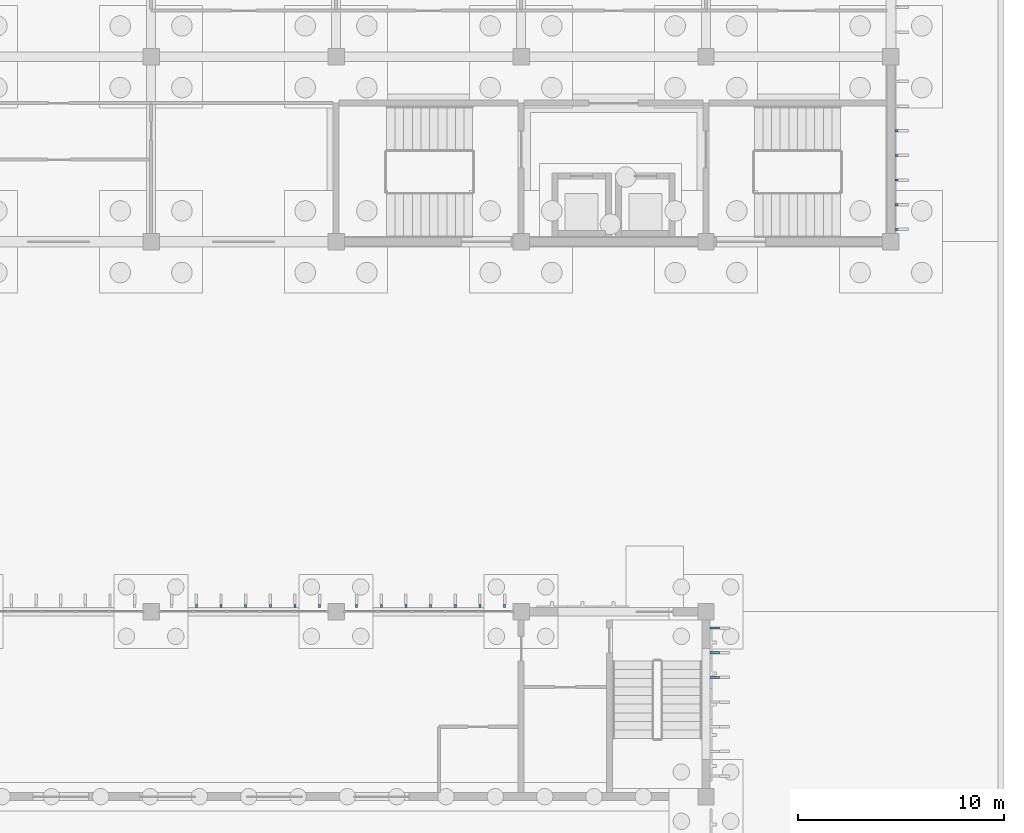
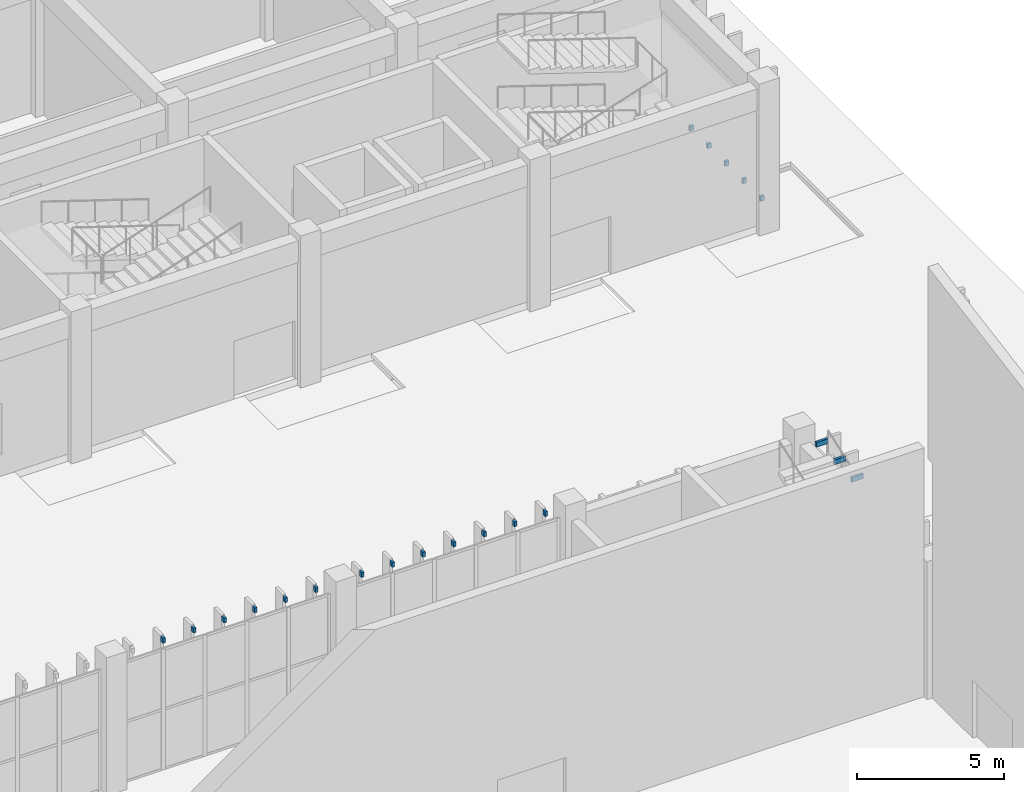
# One storey, part 130 of 198: 21 discrete accessories.
"""IFC4 building model written with IfcOpenShell, lengths in metres."""

import ifcopenshell
import ifcopenshell.guid

model = None  # the IFC model being written
_history = None  # IfcOwnerHistory: only IFC2X3 demands one
_inside = {}  # id of a spatial element -> (the spatial element, [elements in it])
_under = {}  # id of a project, library or spatial element -> (it, [spatial elements below it])
_declared = {}  # id of a project -> (the project, [libraries it declares])
_typed = {}  # id of a type object -> (the type object, [elements of that type])
_made_of = {}  # id of a material, layer set ... -> (it, [elements and type objects made of it])


def new_model(schema):
    """Start an empty IFC model of exactly this schema.

    Asked for "IFC4X3", IfcOpenShell would pick the latest addendum, in which some entities
    have other attributes; the version numbers below select the first issue.
    IFC2X3 requires an IfcOwnerHistory on every rooted entity: one is made here for all.
    """
    global model, _history
    if schema == "IFC4X3":
        model = ifcopenshell.file(schema_version=(4, 3, 0, 0))
    else:
        model = ifcopenshell.file(schema=schema)
    _inside.clear()
    _under.clear()
    _declared.clear()
    _typed.clear()
    _made_of.clear()
    _history = None
    if model.schema == "IFC2X3":
        org = make("IfcOrganization", Name="unknown")
        user = make(
            "IfcPersonAndOrganization",
            ThePerson=make("IfcPerson", FamilyName="unknown"),
            TheOrganization=org,
        )
        app = make(
            "IfcApplication",
            ApplicationDeveloper=org,
            Version="unknown",
            ApplicationFullName="unknown",
            ApplicationIdentifier="unknown",
        )
        _history = make(
            "IfcOwnerHistory",
            OwningUser=user,
            OwningApplication=app,
            ChangeAction="ADDED",
            CreationDate=0,
        )
    return model


def make(cls, **values):
    """One entity of the class cls with the attributes given. An attribute that is None is left unset."""
    return model.create_entity(
        cls, **{name: value for name, value in values.items() if value is not None}
    )


def rooted(cls, **values):
    """An entity with a GlobalId (a new one), such as an element, a storey or a relation."""
    return make(cls, GlobalId=ifcopenshell.guid.new(), OwnerHistory=_history, **values)


def si_unit(unit_type, name, prefix=None):
    """IfcSIUnit, for example si_unit("LENGTHUNIT", "METRE", prefix="MILLI")."""
    return make("IfcSIUnit", UnitType=unit_type, Prefix=prefix, Name=name)


def assignment(units):
    """IfcUnitAssignment: the units of a project."""
    return None if units is None else make("IfcUnitAssignment", Units=units)


def point(xyz):
    """IfcCartesianPoint."""
    return None if xyz is None else make("IfcCartesianPoint", Coordinates=xyz)


def direction(xyz):
    """IfcDirection."""
    return None if xyz is None else make("IfcDirection", DirectionRatios=xyz)


def frame(location, z_axis=None, x_axis=None):
    """IfcAxis2Placement3D, a coordinate frame: its origin and axes. An axis left out is left unset."""
    return make(
        "IfcAxis2Placement3D",
        Location=point(location),
        Axis=direction(z_axis),
        RefDirection=direction(x_axis),
    )


def frame_2d(location, x_axis=None):
    """IfcAxis2Placement2D, a coordinate frame in the plane: its origin and x axis."""
    return make(
        "IfcAxis2Placement2D", Location=point(location), RefDirection=direction(x_axis)
    )


def origin():
    """The frame at (0, 0, 0) with its axes left unset."""
    return frame((0.0, 0.0, 0.0))


def origin_2d():
    """The frame at (0, 0) in the plane with its x axis left unset."""
    return frame_2d((0.0, 0.0))


def place(relative_to, where):
    """IfcLocalPlacement: puts the frame where relative to a parent placement (None: the world)."""
    return make(
        "IfcLocalPlacement", PlacementRelTo=relative_to, RelativePlacement=where
    )


def context(
    kind, dimensions, precision=None, world=None, true_north=None, identifier=None
):
    """IfcGeometricRepresentationContext, for example the 3D "Model" context."""
    return make(
        "IfcGeometricRepresentationContext",
        ContextIdentifier=identifier,
        ContextType=kind,
        CoordinateSpaceDimension=dimensions,
        Precision=precision,
        WorldCoordinateSystem=world,
        TrueNorth=true_north,
    )


def subcontext(parent, identifier, kind, view, scale=None):
    """IfcGeometricRepresentationSubContext, for example "Body" below "Model"."""
    return make(
        "IfcGeometricRepresentationSubContext",
        ContextIdentifier=identifier,
        ContextType=kind,
        ParentContext=parent,
        TargetScale=scale,
        TargetView=view,
    )


def project(units=None, contexts=None):
    """IfcProject with its units and contexts."""
    return rooted(
        "IfcProject",
        Name="project",
        RepresentationContexts=contexts,
        UnitsInContext=assignment(units),
    )


def spatial(cls, under=None, at=None, **own):
    """A site, building, storey or space (cls), placed at a placement, below another one or the project."""
    s = rooted(cls, ObjectPlacement=at, **own)
    if under is not None:
        _under.setdefault(under.id(), (under, []))[1].append(s)
    return s


def profile(cls, at=None, kind="AREA", **sizes):
    """A parametric profile (cls). Its sizes go by their IFC names, for example OverallWidth=200.0."""
    return make(cls, ProfileType=kind, Position=at, **sizes)


def rectangle(**sizes):
    """IfcRectangleProfileDef."""
    return profile("IfcRectangleProfileDef", **sizes)


def extrude(swept, where, along, depth):
    """IfcExtrudedAreaSolid: the profile swept, set in the frame where, extruded along a direction by depth."""
    return make(
        "IfcExtrudedAreaSolid",
        SweptArea=swept,
        Position=where,
        ExtrudedDirection=direction(along),
        Depth=depth,
    )


def shape(context_of_items, identifier, shape_type, items):
    """IfcShapeRepresentation: the items that make up one representation, for example the "Body"."""
    return make(
        "IfcShapeRepresentation",
        ContextOfItems=context_of_items,
        RepresentationIdentifier=identifier,
        RepresentationType=shape_type,
        Items=items,
    )


def material(Name=None, Category=None):
    """IfcMaterial."""
    return make("IfcMaterial", Name=Name, Category=Category)


def made_of(thing, what):
    """Note that an element or type object is made of a material, layer set ...; save() writes the relation."""
    if what is not None:
        _made_of.setdefault(what.id(), (what, []))[1].append(thing)
    return thing


def type_object(cls, material=None, **own):
    """A type object (cls), such as IfcWallType, which elements share."""
    return made_of(rooted(cls, **own), material)


def element(
    cls,
    number,
    at=None,
    inside=None,
    cuts=None,
    type_object=None,
    material=None,
    context=None,
    identifier="Body",
    shape_type=None,
    held_by="IfcProductDefinitionShape",
    body=None,
    shapes=None,
    **own,
):
    """One element of the class cls, such as IfcWall. Its Tag is "e" and its number.

    at: its placement. inside: the storey or other place that contains it. cuts: it is an
    opening in that element (IfcRelVoidsElement). A single representation is given by context,
    identifier, shape_type and body (its items); several are given by shapes. held_by: the class
    of the entity that holds the representations. save() writes the other relations.
    """
    e = rooted(cls, Tag="e%d" % number, ObjectPlacement=at, **own)
    if body is not None:
        shapes = [shape(context, identifier, shape_type, body)]
    if shapes is not None:
        e.Representation = make(held_by, Representations=shapes)
    if inside is not None:
        _inside.setdefault(inside.id(), (inside, []))[1].append(e)
    if cuts is not None:
        rooted(
            "IfcRelVoidsElement", RelatingBuildingElement=cuts, RelatedOpeningElement=e
        )
    if type_object is not None:
        _typed.setdefault(type_object.id(), (type_object, []))[1].append(e)
    return made_of(e, material)


def aggregate(whole, parts):
    """IfcRelAggregates: a whole, such as a stair, and the parts it consists of."""
    return rooted("IfcRelAggregates", RelatingObject=whole, RelatedObjects=parts)


def save(model, path):
    """Write the relations noted so far, then the file.

    IfcRelAggregates (storeys below a building ...), IfcRelContainedInSpatialStructure (elements
    in a storey), IfcRelDefinesByType, IfcRelAssociatesMaterial and IfcRelDeclares: one each for
    every whole, place, type object, material and project.
    """
    for whole, parts in _under.values():
        aggregate(whole, parts)
    for where, things in _inside.values():
        rooted(
            "IfcRelContainedInSpatialStructure",
            RelatedElements=things,
            RelatingStructure=where,
        )
    for kind, things in _typed.values():
        rooted("IfcRelDefinesByType", RelatedObjects=things, RelatingType=kind)
    for what, things in _made_of.values():
        rooted("IfcRelAssociatesMaterial", RelatedObjects=things, RelatingMaterial=what)
    for by, libraries in _declared.values():
        rooted("IfcRelDeclares", RelatingContext=by, RelatedDefinitions=libraries)
    model.write(path)


model = new_model("IFC4")

# Units and contexts
model_context = context("Model", 3, precision=1e-05, world=origin(), true_north=direction((0.0, 1.0)))
body_context = subcontext(model_context, "Body", "Model", "MODEL_VIEW")
ifc_project = project(units=[si_unit("LENGTHUNIT", "METRE"), si_unit("AREAUNIT", "SQUARE_METRE"), si_unit("VOLUMEUNIT", "CUBIC_METRE"), si_unit("PLANEANGLEUNIT", "RADIAN"), si_unit("MASSUNIT", "GRAM", prefix="KILO")], contexts=[model_context])

# Site, building, storey
site_placement = place(None, origin())
site = spatial("IfcSite", under=ifc_project, at=site_placement, CompositionType="ELEMENT")
building_placement = place(site_placement, origin())
building = spatial("IfcBuilding", under=site, at=building_placement, Name="Opaline Strait Convention Centre", CompositionType="ELEMENT")
storey_placement = place(building_placement, origin())
storey = spatial("IfcBuildingStorey", under=building, at=storey_placement, Name="L00", CompositionType="ELEMENT", Elevation=0.0)

# Discrete accessories
ifc_material = material(Name="Stainless steel 304", Category="steel")
discrete_accessory_type_1 = type_object("IfcDiscreteAccessoryType", Name="Fin bracket 150 stainless steel", PredefinedType="BRACKET", material=ifc_material)
for number, where, z_axis, x_axis, name in (
    (1, (360.27490234375, 90.60009765625, 0.35009765625), (0.0, 0.0, 1.0), (1.0, 0.0, 0.0), "Fin bracket"),
    (2, (360.27490234375, 91.800048828125, 0.35009765625), (0.0, 0.0, 1.0), (1.0, 0.0, 0.0), "Fin bracket"),
    (3, (360.27490234375, 93.0, 0.35009765625), (0.0, 0.0, 1.0), (1.0, 0.0, 0.0), "Fin bracket"),
    (4, (360.27490234375, 94.199951171875, 0.35009765625), (0.0, 0.0, 1.0), (1.0, 0.0, 0.0), "Fin bracket"),
    (5, (360.27490234375, 95.39990234375, 0.35009765625), (0.0, 0.0, 1.0), (1.0, 0.0, 0.0), "Fin bracket"),
):
    element("IfcDiscreteAccessory", number, at=place(storey_placement, frame(where, z_axis=z_axis, x_axis=x_axis)), inside=storey, type_object=discrete_accessory_type_1, Name=name, PredefinedType="BRACKET", context=body_context, shape_type="SweptSolid", body=[
        extrude(rectangle(XDim=0.14990234375, YDim=0.10009765625, at=origin_2d()), origin(), (0.0, 0.0, 1.0), 0.199951171875),
    ])
discrete_accessory_type_2 = type_object("IfcDiscreteAccessoryType", Name="Storm fin bracket 100", PredefinedType="BRACKET", material=ifc_material)
for number, where, z_axis, x_axis, name in (
    (6, (326.199951171875, 72.27490234375, 5.06982421875), (0.0, 0.0, 1.0), (1.0, 0.0, 0.0), "Storm fin bracket north 23"),
    (7, (327.39990234375, 72.27490234375, 5.06982421875), (0.0, 0.0, 1.0), (1.0, 0.0, 0.0), "Storm fin bracket north 24"),
    (8, (328.60009765625, 72.27490234375, 5.06982421875), (0.0, 0.0, 1.0), (1.0, 0.0, 0.0), "Storm fin bracket north 25"),
    (9, (329.800048828125, 72.27490234375, 5.06982421875), (0.0, 0.0, 1.0), (1.0, 0.0, 0.0), "Storm fin bracket north 26"),
    (10, (331.0, 72.27490234375, 5.06982421875), (0.0, 0.0, 1.0), (1.0, 0.0, 0.0), "Storm fin bracket north 27"),
    (11, (332.199951171875, 72.27490234375, 5.06982421875), (0.0, 0.0, 1.0), (1.0, 0.0, 0.0), "Storm fin bracket north 28"),
    (12, (334.0, 72.27490234375, 5.06982421875), (0.0, 0.0, 1.0), (1.0, 0.0, 0.0), "Storm fin bracket north 29"),
    (13, (335.199951171875, 72.27490234375, 5.06982421875), (0.0, 0.0, 1.0), (1.0, 0.0, 0.0), "Storm fin bracket north 30"),
    (14, (336.39990234375, 72.27490234375, 5.06982421875), (0.0, 0.0, 1.0), (1.0, 0.0, 0.0), "Storm fin bracket north 31"),
    (15, (337.60009765625, 72.27490234375, 5.06982421875), (0.0, 0.0, 1.0), (1.0, 0.0, 0.0), "Storm fin bracket north 32"),
    (16, (338.800048828125, 72.27490234375, 5.06982421875), (0.0, 0.0, 1.0), (1.0, 0.0, 0.0), "Storm fin bracket north 33"),
    (17, (340.0, 72.27490234375, 5.06982421875), (0.0, 0.0, 1.0), (1.0, 0.0, 0.0), "Storm fin bracket north 34"),
    (18, (341.199951171875, 72.27490234375, 5.06982421875), (0.0, 0.0, 1.0), (1.0, 0.0, 0.0), "Storm fin bracket north 35"),
):
    element("IfcDiscreteAccessory", number, at=place(storey_placement, frame(where, z_axis=z_axis, x_axis=x_axis)), inside=storey, type_object=discrete_accessory_type_2, Name=name, PredefinedType="BRACKET", context=body_context, shape_type="SweptSolid", body=[
        extrude(rectangle(XDim=0.10009765625, YDim=0.14990234375, at=origin_2d()), origin(), (0.0, 0.0, 1.0), 0.199951171875),
    ])
for number, where, z_axis, x_axis, name in (
    (19, (351.425048828125, 68.800048828125, 5.06982421875), (0.0, 0.0, 1.0), (1.0, 0.0, 0.0), "Storm fin bracket east 79"),
    (20, (351.425048828125, 70.0, 5.06982421875), (0.0, 0.0, 1.0), (1.0, 0.0, 0.0), "Storm fin bracket east 80"),
    (21, (351.425048828125, 71.199951171875, 5.06982421875), (0.0, 0.0, 1.0), (1.0, 0.0, 0.0), "Storm fin bracket east 81"),
):
    element("IfcDiscreteAccessory", number, at=place(storey_placement, frame(where, z_axis=z_axis, x_axis=x_axis)), inside=storey, type_object=discrete_accessory_type_2, Name=name, PredefinedType="BRACKET", context=body_context, shape_type="SweptSolid", body=[
        extrude(rectangle(XDim=0.449951171875, YDim=0.10009765625, at=origin_2d()), origin(), (0.0, 0.0, 1.0), 0.199951171875),
    ])

save(model, "model.ifc")
